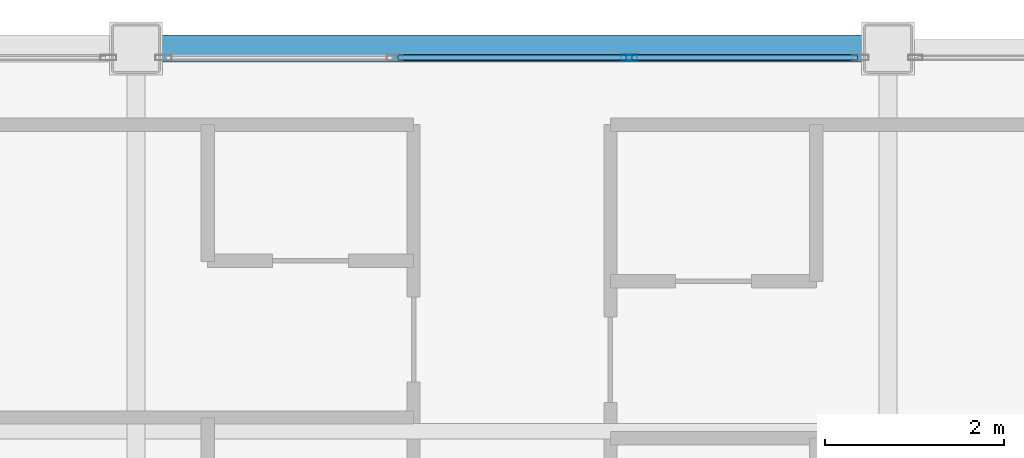
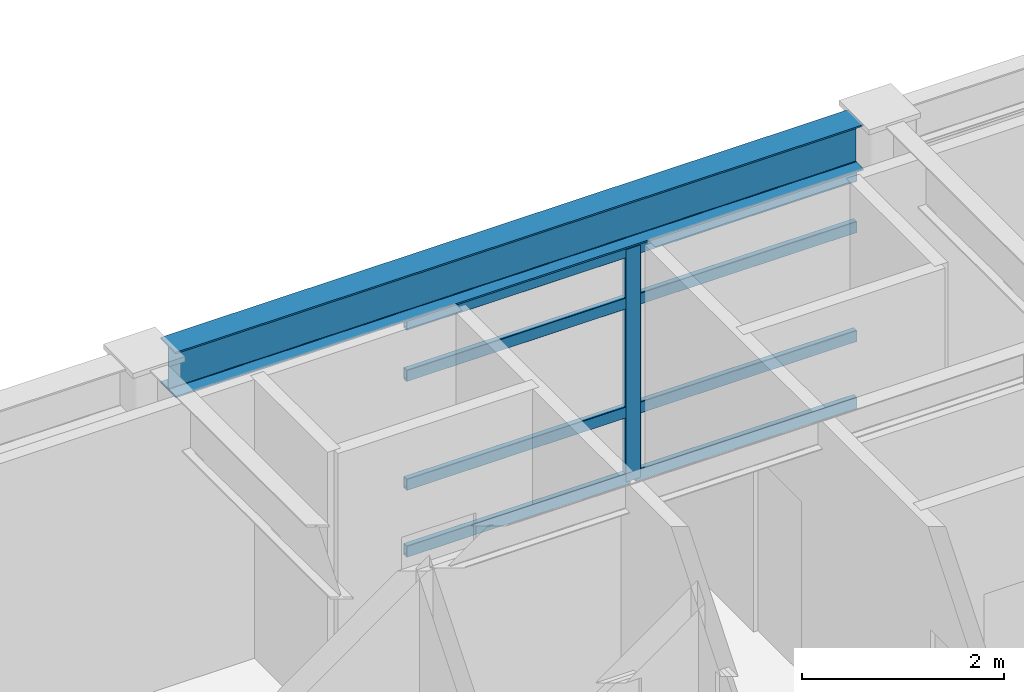
# One storey, part 20 of 36: 9 members, 1 beam, 1 element without a shape of its own.
"""IFC4 building model written with IfcOpenShell, lengths in metres."""

from ifc_helpers import new_model, si_unit, direction, frame, origin, origin_2d, place, context, subcontext, project, spatial, hollow_rectangle, i_section, extrude, material, layer, layer_set, material_profile, profile_set, type_object, element, aggregate, save


model = new_model("IFC4")

# Units and contexts
model_context = context("Model", 3, precision=1e-05, world=origin(), true_north=direction((0.0, 1.0)))
body_context = subcontext(model_context, "Body", "Model", "MODEL_VIEW")
ifc_project = project(units=[si_unit("LENGTHUNIT", "METRE"), si_unit("AREAUNIT", "SQUARE_METRE"), si_unit("VOLUMEUNIT", "CUBIC_METRE"), si_unit("PLANEANGLEUNIT", "RADIAN"), si_unit("MASSUNIT", "GRAM", prefix="KILO")], contexts=[model_context])

# Site, building, storey
site_placement = place(None, origin())
site = spatial("IfcSite", under=ifc_project, at=site_placement, CompositionType="ELEMENT")
building_placement = place(site_placement, origin())
building = spatial("IfcBuilding", under=site, at=building_placement, Name="Kazehara Bluff Congress Hotel", CompositionType="ELEMENT")
storey_placement = place(building_placement, frame((0.0, 0.0, 28.199951171875)))
storey = spatial("IfcBuildingStorey", under=building, at=storey_placement, Name="L06", CompositionType="ELEMENT", Elevation=28.199951171875)

# Curtain wall, members
ifc_material_1 = material(Name="Anodised aluminium", Category="aluminium")
ifc_layer = layer(ifc_material_1, 0.159912109375)
ifc_layer_set = layer_set([ifc_layer], Name="Anodised aluminium")
curtain_wall_type = type_object("IfcCurtainWallType", Name="TP-CW-172", PredefinedType="NOTDEFINED", material=ifc_layer_set)
curtain_wall_placement = place(storey_placement, origin())
curtain_wall = element("IfcCurtainWall", 1, at=curtain_wall_placement, inside=storey, type_object=curtain_wall_type, Name="L06 curtain wall CW-172 CW-ENC-V5-L06-15630-10535", PredefinedType="NOTDEFINED")
ifc_material_2 = material(Name="Anodised aluminium", Category="aluminium")
ifc_material_profile_1 = material_profile(ifc_material_2, hollow_rectangle(XDim=0.06494140625, YDim=0.179931640625, WallThickness=0.00390625, InnerFilletRadius=0.00390625, OuterFilletRadius=0.008056640625, at=origin_2d()))
ifc_profile_set_1 = profile_set([ifc_material_profile_1], Name="Anodised aluminium")
member_type_1 = type_object("IfcMemberType", Name="TP-CWM-02", PredefinedType="MULLION", material=ifc_profile_set_1)
member_1_placement = place(storey_placement, frame((157.6083984375, 105.35009765625, 0.0), z_axis=(0.0, 0.0, 1.0), x_axis=(0.0, 1.0, 0.0)))
member_1 = element("IfcMember", 2, at=member_1_placement, type_object=member_type_1, Name="CW-172 mullion 3", PredefinedType="MULLION", context=body_context, shape_type="SweptSolid", body=[
    extrude(hollow_rectangle(XDim=0.06494140625, YDim=0.179931640625, WallThickness=0.00390625, InnerFilletRadius=0.00390625, OuterFilletRadius=0.008056640625, at=origin_2d()), origin(), (0.0, 0.0, 1.0), 2.804931640625),
])
ifc_material_3 = material(Name="Anodised aluminium", Category="aluminium")
ifc_material_profile_2 = material_profile(ifc_material_3, hollow_rectangle(XDim=0.06494140625, YDim=0.139892578125, WallThickness=0.00390625, InnerFilletRadius=0.00390625, OuterFilletRadius=0.008056640625, at=origin_2d()))
ifc_profile_set_2 = profile_set([ifc_material_profile_2], Name="Anodised aluminium")
member_type_2 = type_object("IfcMemberType", Name="TP-CWT-02", PredefinedType="USERDEFINED", material=ifc_profile_set_2)
member_2_placement = place(storey_placement, frame((155.024169921875, 105.35009765625, 0.032470703125), z_axis=(1.0, 0.0, 0.0), x_axis=(0.0, 1.0, 0.0)))
member_2 = element("IfcMember", 3, at=member_2_placement, type_object=member_type_2, Name="CW-172 transom 2.1", ObjectType="TRANSOM", PredefinedType="USERDEFINED", context=body_context, shape_type="SweptSolid", body=[
    extrude(hollow_rectangle(XDim=0.06494140625, YDim=0.139892578125, WallThickness=0.00390625, InnerFilletRadius=0.00390625, OuterFilletRadius=0.008056640625, at=origin_2d()), origin(), (0.0, 0.0, 1.0), 2.5517578125),
])
member_3_placement = place(storey_placement, frame((155.024169921875, 105.35009765625, 0.840087890625), z_axis=(1.0, 0.0, 0.0), x_axis=(0.0, 1.0, 0.0)))
member_3 = element("IfcMember", 4, at=member_3_placement, type_object=member_type_2, Name="CW-172 transom 2.2", ObjectType="TRANSOM", PredefinedType="USERDEFINED", context=body_context, shape_type="SweptSolid", body=[
    extrude(hollow_rectangle(XDim=0.06494140625, YDim=0.139892578125, WallThickness=0.00390625, InnerFilletRadius=0.00390625, OuterFilletRadius=0.008056640625, at=origin_2d()), origin(), (0.0, 0.0, 1.0), 2.5517578125),
])
member_4_placement = place(storey_placement, frame((155.024169921875, 105.35009765625, 2.155029296875), z_axis=(1.0, 0.0, 0.0), x_axis=(0.0, 1.0, 0.0)))
member_4 = element("IfcMember", 5, at=member_4_placement, type_object=member_type_2, Name="CW-172 transom 2.3", ObjectType="TRANSOM", PredefinedType="USERDEFINED", context=body_context, shape_type="SweptSolid", body=[
    extrude(hollow_rectangle(XDim=0.06494140625, YDim=0.139892578125, WallThickness=0.00390625, InnerFilletRadius=0.00390625, OuterFilletRadius=0.008056640625, at=origin_2d()), origin(), (0.0, 0.0, 1.0), 2.5517578125),
])
member_5_placement = place(storey_placement, frame((155.024169921875, 105.35009765625, 2.7724609375), z_axis=(1.0, 0.0, 0.0), x_axis=(0.0, 1.0, 0.0)))
member_5 = element("IfcMember", 6, at=member_5_placement, type_object=member_type_2, Name="CW-172 transom 2.4", ObjectType="TRANSOM", PredefinedType="USERDEFINED", context=body_context, shape_type="SweptSolid", body=[
    extrude(hollow_rectangle(XDim=0.06494140625, YDim=0.139892578125, WallThickness=0.00390625, InnerFilletRadius=0.00390625, OuterFilletRadius=0.008056640625, at=origin_2d()), origin(), (0.0, 0.0, 1.0), 2.5517578125),
])
member_6_placement = place(storey_placement, frame((157.640869140625, 105.35009765625, 0.032470703125), z_axis=(1.0, 0.0, 0.0), x_axis=(0.0, 1.0, 0.0)))
member_6 = element("IfcMember", 7, at=member_6_placement, type_object=member_type_2, Name="CW-172 transom 3.1", ObjectType="TRANSOM", PredefinedType="USERDEFINED", context=body_context, shape_type="SweptSolid", body=[
    extrude(hollow_rectangle(XDim=0.06494140625, YDim=0.139892578125, WallThickness=0.00390625, InnerFilletRadius=0.00390625, OuterFilletRadius=0.008056640625, at=origin_2d()), origin(), (0.0, 0.0, 1.0), 2.51904296875),
])
member_7_placement = place(storey_placement, frame((157.640869140625, 105.35009765625, 0.840087890625), z_axis=(1.0, 0.0, 0.0), x_axis=(0.0, 1.0, 0.0)))
member_7 = element("IfcMember", 8, at=member_7_placement, type_object=member_type_2, Name="CW-172 transom 3.2", ObjectType="TRANSOM", PredefinedType="USERDEFINED", context=body_context, shape_type="SweptSolid", body=[
    extrude(hollow_rectangle(XDim=0.06494140625, YDim=0.139892578125, WallThickness=0.00390625, InnerFilletRadius=0.00390625, OuterFilletRadius=0.008056640625, at=origin_2d()), origin(), (0.0, 0.0, 1.0), 2.51904296875),
])
member_8_placement = place(storey_placement, frame((157.640869140625, 105.35009765625, 2.155029296875), z_axis=(1.0, 0.0, 0.0), x_axis=(0.0, 1.0, 0.0)))
member_8 = element("IfcMember", 9, at=member_8_placement, type_object=member_type_2, Name="CW-172 transom 3.3", ObjectType="TRANSOM", PredefinedType="USERDEFINED", context=body_context, shape_type="SweptSolid", body=[
    extrude(hollow_rectangle(XDim=0.06494140625, YDim=0.139892578125, WallThickness=0.00390625, InnerFilletRadius=0.00390625, OuterFilletRadius=0.008056640625, at=origin_2d()), origin(), (0.0, 0.0, 1.0), 2.51904296875),
])
member_9_placement = place(storey_placement, frame((157.640869140625, 105.35009765625, 2.7724609375), z_axis=(1.0, 0.0, 0.0), x_axis=(0.0, 1.0, 0.0)))
member_9 = element("IfcMember", 10, at=member_9_placement, type_object=member_type_2, Name="CW-172 transom 3.4", ObjectType="TRANSOM", PredefinedType="USERDEFINED", context=body_context, shape_type="SweptSolid", body=[
    extrude(hollow_rectangle(XDim=0.06494140625, YDim=0.139892578125, WallThickness=0.00390625, InnerFilletRadius=0.00390625, OuterFilletRadius=0.008056640625, at=origin_2d()), origin(), (0.0, 0.0, 1.0), 2.51904296875),
])
aggregate(curtain_wall, [member_1, member_2, member_3, member_4, member_5, member_6, member_7, member_8, member_9])

# Beam
ifc_material_4 = material(Name="Steel SN490B", Category="steel")
ifc_material_profile_3 = material_profile(ifc_material_4, i_section(OverallWidth=0.300048828125, OverallDepth=0.550048828125, WebThickness=0.010986328125, FlangeThickness=0.01806640625, FilletRadius=0.012939453125, at=origin_2d()))
ifc_profile_set_3 = profile_set([ifc_material_profile_3], Name="Steel SN490B")
beam_type = type_object("IfcBeamType", Name="TP-G-12", PredefinedType="BEAM", material=ifc_profile_set_3)
beam_placement = place(storey_placement, frame((152.375, 105.449951171875, 3.10498046875), z_axis=(1.0, 0.0, 0.0), x_axis=(0.0, 1.0, 0.0)))
element("IfcBeam", 11, at=beam_placement, inside=storey, type_object=beam_type, Name="L06 girder G-12 80", PredefinedType="BEAM", context=body_context, shape_type="SweptSolid", body=[
    extrude(i_section(OverallWidth=0.300048828125, OverallDepth=0.550048828125, WebThickness=0.010986328125, FlangeThickness=0.01806640625, FilletRadius=0.012939453125, at=origin_2d()), origin(), (0.0, 0.0, 1.0), 7.85009765625),
])

save(model, "model.ifc")
